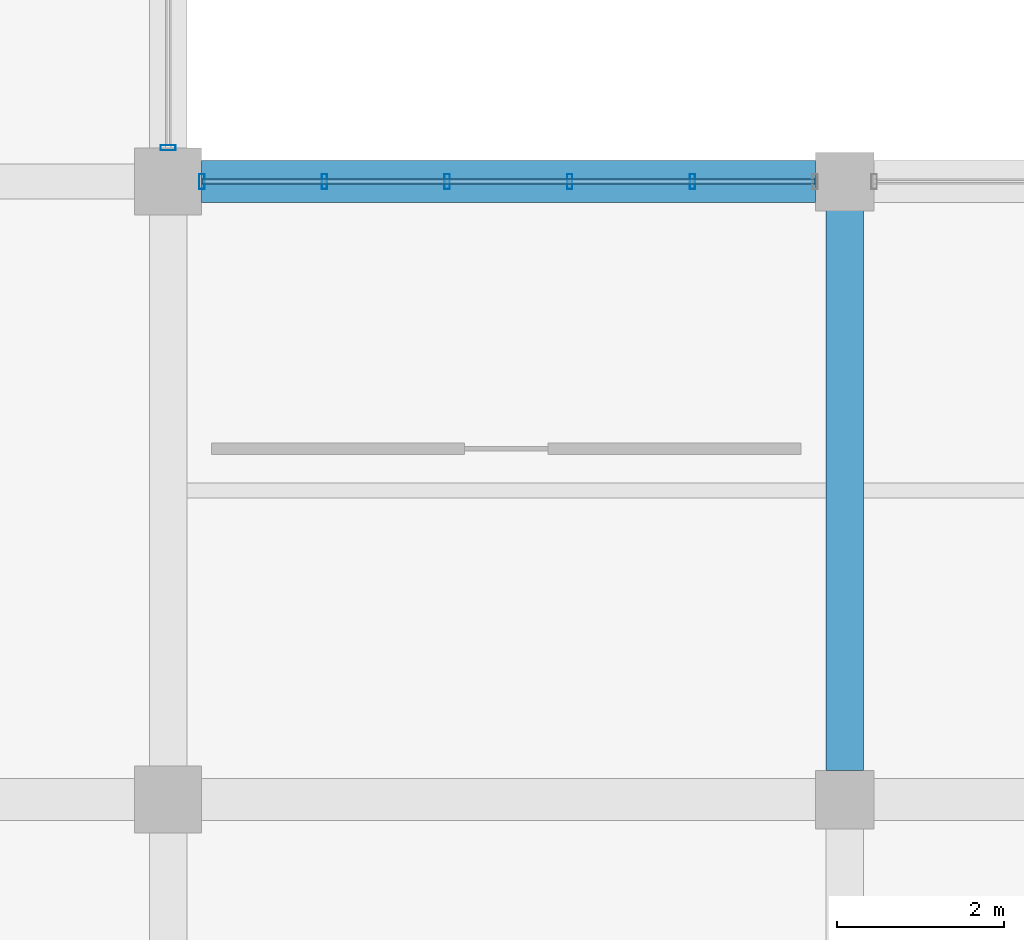
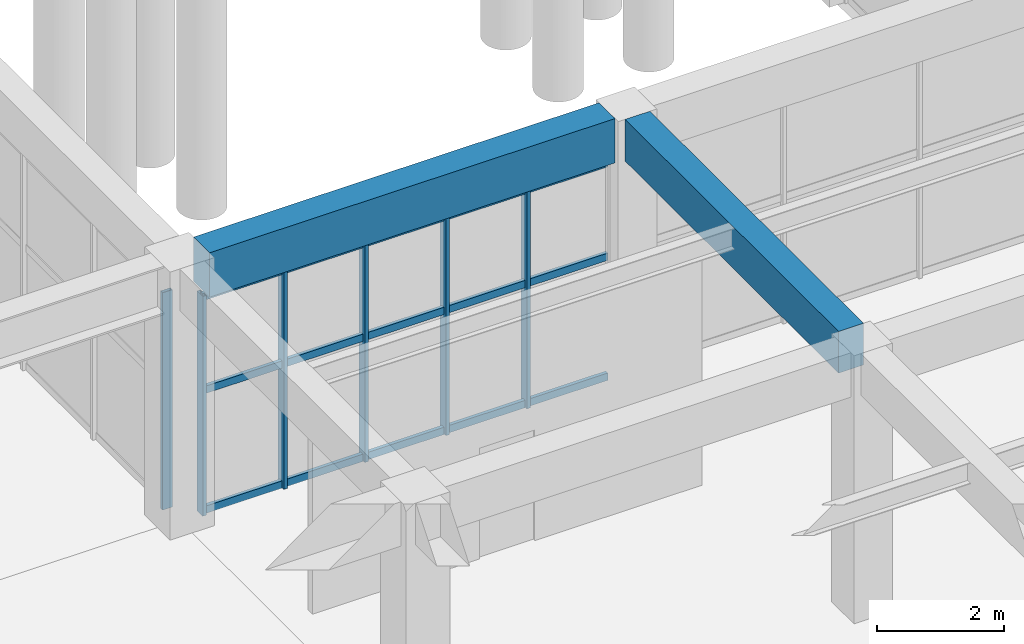
# One storey, part 42 of 140: 9 members, 2 beams, 2 elements without a shape of their own.
"""IFC4 building model written with IfcOpenShell, lengths in metres."""

import ifcopenshell
import ifcopenshell.guid

model = None  # the IFC model being written
_history = None  # IfcOwnerHistory: only IFC2X3 demands one
_inside = {}  # id of a spatial element -> (the spatial element, [elements in it])
_under = {}  # id of a project, library or spatial element -> (it, [spatial elements below it])
_declared = {}  # id of a project -> (the project, [libraries it declares])
_typed = {}  # id of a type object -> (the type object, [elements of that type])
_made_of = {}  # id of a material, layer set ... -> (it, [elements and type objects made of it])


def new_model(schema):
    """Start an empty IFC model of exactly this schema.

    Asked for "IFC4X3", IfcOpenShell would pick the latest addendum, in which some entities
    have other attributes; the version numbers below select the first issue.
    IFC2X3 requires an IfcOwnerHistory on every rooted entity: one is made here for all.
    """
    global model, _history
    if schema == "IFC4X3":
        model = ifcopenshell.file(schema_version=(4, 3, 0, 0))
    else:
        model = ifcopenshell.file(schema=schema)
    _inside.clear()
    _under.clear()
    _declared.clear()
    _typed.clear()
    _made_of.clear()
    _history = None
    if model.schema == "IFC2X3":
        org = make("IfcOrganization", Name="unknown")
        user = make(
            "IfcPersonAndOrganization",
            ThePerson=make("IfcPerson", FamilyName="unknown"),
            TheOrganization=org,
        )
        app = make(
            "IfcApplication",
            ApplicationDeveloper=org,
            Version="unknown",
            ApplicationFullName="unknown",
            ApplicationIdentifier="unknown",
        )
        _history = make(
            "IfcOwnerHistory",
            OwningUser=user,
            OwningApplication=app,
            ChangeAction="ADDED",
            CreationDate=0,
        )
    return model


def make(cls, **values):
    """One entity of the class cls with the attributes given. An attribute that is None is left unset."""
    return model.create_entity(
        cls, **{name: value for name, value in values.items() if value is not None}
    )


def rooted(cls, **values):
    """An entity with a GlobalId (a new one), such as an element, a storey or a relation."""
    return make(cls, GlobalId=ifcopenshell.guid.new(), OwnerHistory=_history, **values)


def si_unit(unit_type, name, prefix=None):
    """IfcSIUnit, for example si_unit("LENGTHUNIT", "METRE", prefix="MILLI")."""
    return make("IfcSIUnit", UnitType=unit_type, Prefix=prefix, Name=name)


def assignment(units):
    """IfcUnitAssignment: the units of a project."""
    return None if units is None else make("IfcUnitAssignment", Units=units)


def point(xyz):
    """IfcCartesianPoint."""
    return None if xyz is None else make("IfcCartesianPoint", Coordinates=xyz)


def direction(xyz):
    """IfcDirection."""
    return None if xyz is None else make("IfcDirection", DirectionRatios=xyz)


def frame(location, z_axis=None, x_axis=None):
    """IfcAxis2Placement3D, a coordinate frame: its origin and axes. An axis left out is left unset."""
    return make(
        "IfcAxis2Placement3D",
        Location=point(location),
        Axis=direction(z_axis),
        RefDirection=direction(x_axis),
    )


def frame_2d(location, x_axis=None):
    """IfcAxis2Placement2D, a coordinate frame in the plane: its origin and x axis."""
    return make(
        "IfcAxis2Placement2D", Location=point(location), RefDirection=direction(x_axis)
    )


def origin():
    """The frame at (0, 0, 0) with its axes left unset."""
    return frame((0.0, 0.0, 0.0))


def origin_2d():
    """The frame at (0, 0) in the plane with its x axis left unset."""
    return frame_2d((0.0, 0.0))


def place(relative_to, where):
    """IfcLocalPlacement: puts the frame where relative to a parent placement (None: the world)."""
    return make(
        "IfcLocalPlacement", PlacementRelTo=relative_to, RelativePlacement=where
    )


def context(
    kind, dimensions, precision=None, world=None, true_north=None, identifier=None
):
    """IfcGeometricRepresentationContext, for example the 3D "Model" context."""
    return make(
        "IfcGeometricRepresentationContext",
        ContextIdentifier=identifier,
        ContextType=kind,
        CoordinateSpaceDimension=dimensions,
        Precision=precision,
        WorldCoordinateSystem=world,
        TrueNorth=true_north,
    )


def subcontext(parent, identifier, kind, view, scale=None):
    """IfcGeometricRepresentationSubContext, for example "Body" below "Model"."""
    return make(
        "IfcGeometricRepresentationSubContext",
        ContextIdentifier=identifier,
        ContextType=kind,
        ParentContext=parent,
        TargetScale=scale,
        TargetView=view,
    )


def project(units=None, contexts=None):
    """IfcProject with its units and contexts."""
    return rooted(
        "IfcProject",
        Name="project",
        RepresentationContexts=contexts,
        UnitsInContext=assignment(units),
    )


def spatial(cls, under=None, at=None, **own):
    """A site, building, storey or space (cls), placed at a placement, below another one or the project."""
    s = rooted(cls, ObjectPlacement=at, **own)
    if under is not None:
        _under.setdefault(under.id(), (under, []))[1].append(s)
    return s


def profile(cls, at=None, kind="AREA", **sizes):
    """A parametric profile (cls). Its sizes go by their IFC names, for example OverallWidth=200.0."""
    return make(cls, ProfileType=kind, Position=at, **sizes)


def rectangle(**sizes):
    """IfcRectangleProfileDef."""
    return profile("IfcRectangleProfileDef", **sizes)


def hollow_rectangle(**sizes):
    """IfcRectangleHollowProfileDef."""
    return profile("IfcRectangleHollowProfileDef", **sizes)


def extrude(swept, where, along, depth):
    """IfcExtrudedAreaSolid: the profile swept, set in the frame where, extruded along a direction by depth."""
    return make(
        "IfcExtrudedAreaSolid",
        SweptArea=swept,
        Position=where,
        ExtrudedDirection=direction(along),
        Depth=depth,
    )


def shape(context_of_items, identifier, shape_type, items):
    """IfcShapeRepresentation: the items that make up one representation, for example the "Body"."""
    return make(
        "IfcShapeRepresentation",
        ContextOfItems=context_of_items,
        RepresentationIdentifier=identifier,
        RepresentationType=shape_type,
        Items=items,
    )


def material(Name=None, Category=None):
    """IfcMaterial."""
    return make("IfcMaterial", Name=Name, Category=Category)


def material_profile(
    of_material, cross_section, Name=None, Category=None, Priority=None
):
    """IfcMaterialProfile: a cross section and its material."""
    return make(
        "IfcMaterialProfile",
        Name=Name,
        Material=of_material,
        Profile=cross_section,
        Priority=Priority,
        Category=Category,
    )


def profile_set(profiles, Name=None, composite=None):
    """IfcMaterialProfileSet."""
    return make(
        "IfcMaterialProfileSet",
        Name=Name,
        MaterialProfiles=profiles,
        CompositeProfile=composite,
    )


def made_of(thing, what):
    """Note that an element or type object is made of a material, layer set ...; save() writes the relation."""
    if what is not None:
        _made_of.setdefault(what.id(), (what, []))[1].append(thing)
    return thing


def type_object(cls, material=None, **own):
    """A type object (cls), such as IfcWallType, which elements share."""
    return made_of(rooted(cls, **own), material)


def element(
    cls,
    number,
    at=None,
    inside=None,
    cuts=None,
    type_object=None,
    material=None,
    context=None,
    identifier="Body",
    shape_type=None,
    held_by="IfcProductDefinitionShape",
    body=None,
    shapes=None,
    **own,
):
    """One element of the class cls, such as IfcWall. Its Tag is "e" and its number.

    at: its placement. inside: the storey or other place that contains it. cuts: it is an
    opening in that element (IfcRelVoidsElement). A single representation is given by context,
    identifier, shape_type and body (its items); several are given by shapes. held_by: the class
    of the entity that holds the representations. save() writes the other relations.
    """
    e = rooted(cls, Tag="e%d" % number, ObjectPlacement=at, **own)
    if body is not None:
        shapes = [shape(context, identifier, shape_type, body)]
    if shapes is not None:
        e.Representation = make(held_by, Representations=shapes)
    if inside is not None:
        _inside.setdefault(inside.id(), (inside, []))[1].append(e)
    if cuts is not None:
        rooted(
            "IfcRelVoidsElement", RelatingBuildingElement=cuts, RelatedOpeningElement=e
        )
    if type_object is not None:
        _typed.setdefault(type_object.id(), (type_object, []))[1].append(e)
    return made_of(e, material)


def aggregate(whole, parts):
    """IfcRelAggregates: a whole, such as a stair, and the parts it consists of."""
    return rooted("IfcRelAggregates", RelatingObject=whole, RelatedObjects=parts)


def save(model, path):
    """Write the relations noted so far, then the file.

    IfcRelAggregates (storeys below a building ...), IfcRelContainedInSpatialStructure (elements
    in a storey), IfcRelDefinesByType, IfcRelAssociatesMaterial and IfcRelDeclares: one each for
    every whole, place, type object, material and project.
    """
    for whole, parts in _under.values():
        aggregate(whole, parts)
    for where, things in _inside.values():
        rooted(
            "IfcRelContainedInSpatialStructure",
            RelatedElements=things,
            RelatingStructure=where,
        )
    for kind, things in _typed.values():
        rooted("IfcRelDefinesByType", RelatedObjects=things, RelatingType=kind)
    for what, things in _made_of.values():
        rooted("IfcRelAssociatesMaterial", RelatedObjects=things, RelatingMaterial=what)
    for by, libraries in _declared.values():
        rooted("IfcRelDeclares", RelatingContext=by, RelatedDefinitions=libraries)
    model.write(path)


model = new_model("IFC4")

# Units and contexts
model_context = context("Model", 3, precision=1e-05, world=origin(), true_north=direction((0.0, 1.0)))
body_context = subcontext(model_context, "Body", "Model", "MODEL_VIEW")
ifc_project = project(units=[si_unit("LENGTHUNIT", "METRE"), si_unit("AREAUNIT", "SQUARE_METRE"), si_unit("VOLUMEUNIT", "CUBIC_METRE"), si_unit("PLANEANGLEUNIT", "RADIAN"), si_unit("MASSUNIT", "GRAM", prefix="KILO")], contexts=[model_context])

# Site, building, storey
site_placement = place(None, origin())
site = spatial("IfcSite", under=ifc_project, at=site_placement, CompositionType="ELEMENT")
building_placement = place(site_placement, origin())
building = spatial("IfcBuilding", under=site, at=building_placement, Name="Cimatlan Art Gallery", CompositionType="ELEMENT")
storey_placement = place(building_placement, origin())
storey = spatial("IfcBuildingStorey", under=building, at=storey_placement, Name="L00", CompositionType="ELEMENT", Elevation=0.0)

# Beams
ifc_material_1 = material(Name="Concrete C40/50", Category="concrete")
ifc_material_profile_1 = material_profile(ifc_material_1, rectangle(XDim=0.449951171875, YDim=0.800048828125, at=origin_2d()), Name="RC450X800")
ifc_profile_set_1 = profile_set([ifc_material_profile_1], Name="Concrete C40/50")
beam_type_1 = type_object("IfcBeamType", Name="BM-RC-450X800", PredefinedType="BEAM", material=ifc_profile_set_1)
beam_1_placement = place(storey_placement, frame((107.300048828125, 31.64990234375, 4.735107421875), z_axis=(0.0, 1.0, 0.0), x_axis=(-1.0, 0.0, 0.0)))
element("IfcBeam", 1, at=beam_1_placement, inside=storey, type_object=beam_type_1, Name="BM-Y-L00-13-04", PredefinedType="BEAM", context=body_context, shape_type="SweptSolid", body=[
    extrude(rectangle(XDim=0.449951171875, YDim=0.800048828125, at=origin_2d()), origin(), (0.0, 0.0, 1.0), 6.7001953125),
])
ifc_material_profile_2 = material_profile(ifc_material_1, rectangle(XDim=0.5, YDim=0.85009765625, at=origin_2d()), Name="RC500X850")
ifc_profile_set_2 = profile_set([ifc_material_profile_2], Name="Concrete C40/50")
beam_type_2 = type_object("IfcBeamType", Name="BM-RC-500X850", PredefinedType="BEAM", material=ifc_profile_set_2)
beam_2_placement = place(storey_placement, frame((99.60009765625, 38.699951171875, 4.7099609375), z_axis=(1.0, 0.0, 0.0), x_axis=(0.0, 1.0, 0.0)))
element("IfcBeam", 2, at=beam_2_placement, inside=storey, type_object=beam_type_2, Name="BM-X-L00-12-05", PredefinedType="BEAM", context=body_context, shape_type="SweptSolid", body=[
    extrude(rectangle(XDim=0.5, YDim=0.85009765625, at=origin_2d()), origin(), (0.0, 0.0, 1.0), 7.349853515625),
])

# Curtain wall, member
ifc_material_2 = material(Name="Anodised bronze unitised curtain wall")
curtain_wall_type_1 = type_object("IfcCurtainWallType", Name="CW-V-06592X04163-B3", PredefinedType="NOTDEFINED", material=ifc_material_2)
curtain_wall_1_placement = place(storey_placement, origin())
curtain_wall_1 = element("IfcCurtainWall", 3, at=curtain_wall_1_placement, inside=storey, type_object=curtain_wall_type_1, Name="CW-L00-11-05-E", PredefinedType="NOTDEFINED")
ifc_material_3 = material(Name="Anodised bronze aluminium 6063-T6", Category="aluminium")
ifc_material_profile_3 = material_profile(ifc_material_3, hollow_rectangle(XDim=0.06494140625, YDim=0.179931640625, WallThickness=0.00390625, at=origin_2d()), Name="ALU65X180X4")
ifc_profile_set_3 = profile_set([ifc_material_profile_3], Name="Anodised bronze aluminium 6063-T6")
member_type_1 = type_object("IfcMemberType", Name="CW-MUL-180", PredefinedType="MULLION", material=ifc_profile_set_3)
member_1_placement = place(storey_placement, frame((99.199951171875, 39.10400390625, 0.0), z_axis=(0.0, 0.0, 1.0), x_axis=(0.0, 1.0, 0.0)))
member_1 = element("IfcMember", 4, at=member_1_placement, type_object=member_type_1, Name="CW-L00-11-05-E-M4", PredefinedType="MULLION", context=body_context, shape_type="SweptSolid", body=[
    extrude(hollow_rectangle(XDim=0.06494140625, YDim=0.179931640625, WallThickness=0.00390625, at=origin_2d()), origin(), (0.0, 0.0, 1.0), 4.1630859375),
])
aggregate(curtain_wall_1, [member_1])

# Curtain wall, members
curtain_wall_type_2 = type_object("IfcCurtainWallType", Name="CW-V-07342X04210-B5", PredefinedType="NOTDEFINED", material=ifc_material_2)
curtain_wall_2_placement = place(storey_placement, origin())
curtain_wall_2 = element("IfcCurtainWall", 5, at=curtain_wall_2_placement, inside=storey, type_object=curtain_wall_type_2, Name="CW-L00-12-04-N", PredefinedType="NOTDEFINED")
member_2_placement = place(storey_placement, frame((99.60400390625, 38.699951171875, 0.0), z_axis=(0.0, 0.0, 1.0), x_axis=(1.0, 0.0, 0.0)))
member_2 = element("IfcMember", 6, at=member_2_placement, type_object=member_type_1, Name="CW-L00-12-04-N-M1", PredefinedType="MULLION", context=body_context, shape_type="SweptSolid", body=[
    extrude(hollow_rectangle(XDim=0.06494140625, YDim=0.179931640625, WallThickness=0.00390625, at=origin_2d()), origin(), (0.0, 0.0, 1.0), 4.2099609375),
])
member_3_placement = place(storey_placement, frame((101.072509765625, 38.699951171875, 0.0), z_axis=(0.0, 0.0, 1.0), x_axis=(1.0, 0.0, 0.0)))
member_3 = element("IfcMember", 7, at=member_3_placement, type_object=member_type_1, Name="CW-L00-12-04-N-M2", PredefinedType="MULLION", context=body_context, shape_type="SweptSolid", body=[
    extrude(hollow_rectangle(XDim=0.06494140625, YDim=0.179931640625, WallThickness=0.00390625, at=origin_2d()), origin(), (0.0, 0.0, 1.0), 4.2099609375),
])
member_4_placement = place(storey_placement, frame((102.540771484375, 38.699951171875, 0.0), z_axis=(0.0, 0.0, 1.0), x_axis=(1.0, 0.0, 0.0)))
member_4 = element("IfcMember", 8, at=member_4_placement, type_object=member_type_1, Name="CW-L00-12-04-N-M3", PredefinedType="MULLION", context=body_context, shape_type="SweptSolid", body=[
    extrude(hollow_rectangle(XDim=0.06494140625, YDim=0.179931640625, WallThickness=0.00390625, at=origin_2d()), origin(), (0.0, 0.0, 1.0), 4.2099609375),
])
member_5_placement = place(storey_placement, frame((104.00927734375, 38.699951171875, 0.0), z_axis=(0.0, 0.0, 1.0), x_axis=(1.0, 0.0, 0.0)))
member_5 = element("IfcMember", 9, at=member_5_placement, type_object=member_type_1, Name="CW-L00-12-04-N-M4", PredefinedType="MULLION", context=body_context, shape_type="SweptSolid", body=[
    extrude(hollow_rectangle(XDim=0.06494140625, YDim=0.179931640625, WallThickness=0.00390625, at=origin_2d()), origin(), (0.0, 0.0, 1.0), 4.2099609375),
])
member_6_placement = place(storey_placement, frame((105.4775390625, 38.699951171875, 0.0), z_axis=(0.0, 0.0, 1.0), x_axis=(1.0, 0.0, 0.0)))
member_6 = element("IfcMember", 10, at=member_6_placement, type_object=member_type_1, Name="CW-L00-12-04-N-M5", PredefinedType="MULLION", context=body_context, shape_type="SweptSolid", body=[
    extrude(hollow_rectangle(XDim=0.06494140625, YDim=0.179931640625, WallThickness=0.00390625, at=origin_2d()), origin(), (0.0, 0.0, 1.0), 4.2099609375),
])
ifc_material_profile_4 = material_profile(ifc_material_3, hollow_rectangle(XDim=0.06494140625, YDim=0.139892578125, WallThickness=0.00390625, at=origin_2d()), Name="ALU65X140X4")
ifc_profile_set_4 = profile_set([ifc_material_profile_4], Name="Anodised bronze aluminium 6063-T6")
member_type_2 = type_object("IfcMemberType", Name="CW-TRN-140", PredefinedType="USERDEFINED", material=ifc_profile_set_4)
member_7_placement = place(storey_placement, frame((99.60400390625, 38.699951171875, 0.06005859375), z_axis=(1.0, 0.0, 0.0), x_axis=(0.0, 1.0, 0.0)))
member_7 = element("IfcMember", 11, at=member_7_placement, type_object=member_type_2, Name="CW-L00-12-04-N-T1", ObjectType="TRANSOM", PredefinedType="USERDEFINED", context=body_context, shape_type="SweptSolid", body=[
    extrude(hollow_rectangle(XDim=0.06494140625, YDim=0.139892578125, WallThickness=0.00390625, at=origin_2d()), origin(), (0.0, 0.0, 1.0), 7.342041015625),
])
member_8_placement = place(storey_placement, frame((99.60400390625, 38.699951171875, 2.357666015625), z_axis=(1.0, 0.0, 0.0), x_axis=(0.0, 1.0, 0.0)))
member_8 = element("IfcMember", 12, at=member_8_placement, type_object=member_type_2, Name="CW-L00-12-04-N-T2", ObjectType="TRANSOM", PredefinedType="USERDEFINED", context=body_context, shape_type="SweptSolid", body=[
    extrude(hollow_rectangle(XDim=0.06494140625, YDim=0.139892578125, WallThickness=0.00390625, at=origin_2d()), origin(), (0.0, 0.0, 1.0), 7.342041015625),
])
member_9_placement = place(storey_placement, frame((99.60400390625, 38.699951171875, 4.14990234375), z_axis=(1.0, 0.0, 0.0), x_axis=(0.0, 1.0, 0.0)))
member_9 = element("IfcMember", 13, at=member_9_placement, type_object=member_type_2, Name="CW-L00-12-04-N-T3", ObjectType="TRANSOM", PredefinedType="USERDEFINED", context=body_context, shape_type="SweptSolid", body=[
    extrude(hollow_rectangle(XDim=0.06494140625, YDim=0.139892578125, WallThickness=0.00390625, at=origin_2d()), origin(), (0.0, 0.0, 1.0), 7.342041015625),
])
aggregate(curtain_wall_2, [member_2, member_3, member_4, member_5, member_6, member_7, member_8, member_9])

save(model, "model.ifc")
